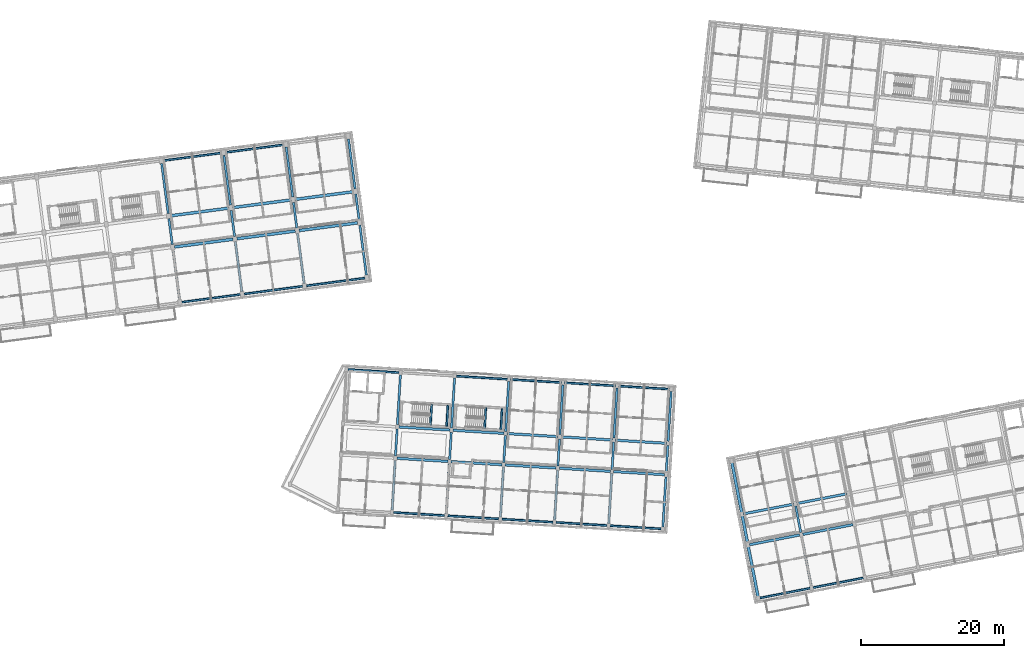
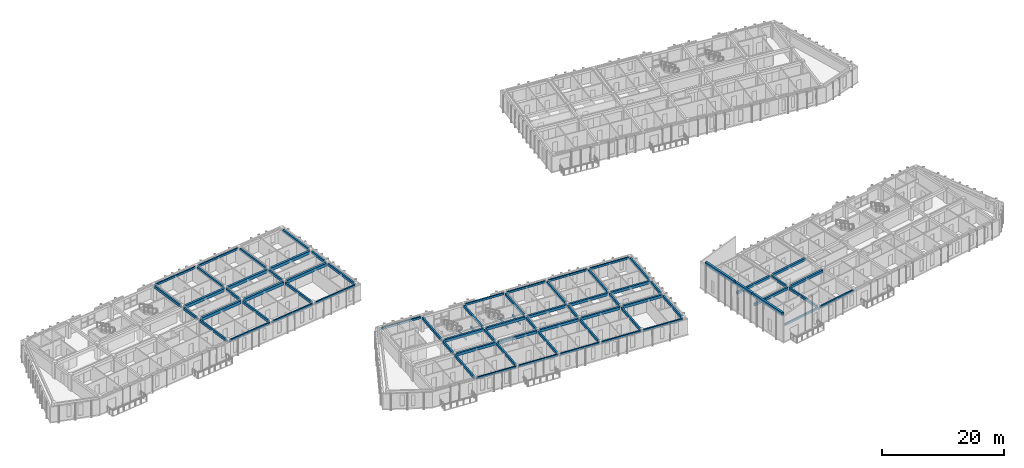
# One storey, part 4 of 65: 76 beams.
"""IFC4 building model written with IfcOpenShell, lengths in metres."""

from ifc_helpers import new_model, si_unit, direction, frame, origin, origin_2d, place, context, subcontext, project, spatial, rectangle, extrude, material, material_profile, profile_set, type_object, element, save


model = new_model("IFC4")

# Units and contexts
model_context = context("Model", 3, precision=1e-05, world=origin(), true_north=direction((0.0, 1.0)))
body_context = subcontext(model_context, "Body", "Model", "MODEL_VIEW")
ifc_project = project(units=[si_unit("LENGTHUNIT", "METRE"), si_unit("AREAUNIT", "SQUARE_METRE"), si_unit("VOLUMEUNIT", "CUBIC_METRE"), si_unit("PLANEANGLEUNIT", "RADIAN"), si_unit("MASSUNIT", "GRAM", prefix="KILO")], contexts=[model_context])

# Site, building, storey
site_placement = place(None, origin())
site = spatial("IfcSite", under=ifc_project, at=site_placement, CompositionType="ELEMENT")
building_placement = place(site_placement, origin())
building = spatial("IfcBuilding", under=site, at=building_placement, Name="Kestramere Prow Commons", CompositionType="ELEMENT")
storey_placement = place(building_placement, frame((0.0, 0.0, 21.39990234375)))
storey = spatial("IfcBuildingStorey", under=building, at=storey_placement, Name="L06", CompositionType="ELEMENT", Elevation=21.39990234375)

# Beams
ifc_material_1 = material(Name="Precast concrete C40/50", Category="concrete")
ifc_material_profile_1 = material_profile(ifc_material_1, rectangle(XDim=0.39990234375, YDim=0.60009765625, at=origin_2d()), Name="PC-BM 400x600")
ifc_profile_set_1 = profile_set([ifc_material_profile_1], Name="Precast concrete C40/50")
beam_type_1 = type_object("IfcBeamType", Name="BM-A1 PC-BM 400x600", PredefinedType="BEAM", material=ifc_profile_set_1)
beam_1_placement = place(storey_placement, frame((36.628662109375, 83.215087890625, 2.7001953125), z_axis=(0.991443917843, 0.130533358852, 0.0), x_axis=(-0.130533358852, 0.991443917843, 0.0)))
element("IfcBeam", 1, at=beam_1_placement, inside=storey, type_object=beam_type_1, Name="Block A L06 Longitudinal Beam 2-4", PredefinedType="BEAM", context=body_context, shape_type="SweptSolid", body=[
    extrude(rectangle(XDim=0.39990234375, YDim=0.60009765625, at=origin_2d()), origin(), (0.0, 0.0, 1.0), 8.25),
])
beam_2_placement = place(storey_placement, frame((45.353515625, 84.36376953125, 2.7001953125), z_axis=(0.991447243185, 0.130508099291, 0.0), x_axis=(-0.130508099291, 0.991447243185, 0.0)))
element("IfcBeam", 2, at=beam_2_placement, inside=storey, type_object=beam_type_1, Name="Block A L06 Longitudinal Beam 2-5", PredefinedType="BEAM", context=body_context, shape_type="SweptSolid", body=[
    extrude(rectangle(XDim=0.39990234375, YDim=0.60009765625, at=origin_2d()), origin(), (0.0, 0.0, 1.0), 8.249755859375),
])
for number, where, z_axis, x_axis, name in (
    (3, (54.078125, 85.51220703125, 2.7001953125), (0.991443917843, 0.130533358852, 0.0), (-0.130533358852, 0.991443917843, 0.0), "Block A L06 Longitudinal Beam 2-6"),
    (4, (36.054443359375, 87.577392578125, 2.7001953125), (0.991443917843, 0.130533358852, 0.0), (-0.130533358852, 0.991443917843, 0.0), "Block A L06 Longitudinal Beam 3-4"),
    (5, (44.779052734375, 88.72607421875, 2.7001953125), (0.991443917843, 0.130533358852, 0.0), (-0.130533358852, 0.991443917843, 0.0), "Block A L06 Longitudinal Beam 3-5"),
):
    element("IfcBeam", number, at=place(storey_placement, frame(where, z_axis=z_axis, x_axis=x_axis)), inside=storey, type_object=beam_type_1, Name=name, PredefinedType="BEAM", context=body_context, shape_type="SweptSolid", body=[
        extrude(rectangle(XDim=0.39990234375, YDim=0.60009765625, at=origin_2d()), origin(), (0.0, 0.0, 1.0), 8.25),
    ])
beam_3_placement = place(storey_placement, frame((53.50390625, 89.874755859375, 2.7001953125), z_axis=(0.991447243185, 0.130508099291, 0.0), x_axis=(-0.130508099291, 0.991447243185, 0.0)))
element("IfcBeam", 6, at=beam_3_placement, inside=storey, type_object=beam_type_1, Name="Block A L06 Longitudinal Beam 3-6", PredefinedType="BEAM", context=body_context, shape_type="SweptSolid", body=[
    extrude(rectangle(XDim=0.39990234375, YDim=0.60009765625, at=origin_2d()), origin(), (0.0, 0.0, 1.0), 8.249755859375),
])
ifc_material_profile_2 = material_profile(ifc_material_1, rectangle(XDim=0.35009765625, YDim=0.550048828125, at=origin_2d()), Name="PC-BM 350x550")
ifc_profile_set_2 = profile_set([ifc_material_profile_2], Name="Precast concrete C40/50")
beam_type_2 = type_object("IfcBeamType", Name="BM-C1 PC-BM 350x550", PredefinedType="BEAM", material=ifc_profile_set_2)
for number, where, z_axis, x_axis, name in (
    (7, (67.7744140625, 53.608154296875, 2.72509765625), (0.998134602239, -0.061051747017, 0.0), (0.061051747017, 0.998134602239, 0.0), "Block C L06 Longitudinal Beam 2-2"),
    (8, (75.360107421875, 53.14404296875, 2.72509765625), (0.998136682403, -0.061017728909, 0.0), (0.061017728909, 0.998136682403, 0.0), "Block C L06 Longitudinal Beam 2-3"),
    (9, (82.946044921875, 52.68017578125, 2.72509765625), (0.998134602239, -0.061051747017, 0.0), (0.061051747017, 0.998134602239, 0.0), "Block C L06 Longitudinal Beam 2-4"),
    (10, (90.53173828125, 52.21630859375, 2.72509765625), (0.998134602239, -0.061051747017, 0.0), (0.061051747017, 0.998134602239, 0.0), "Block C L06 Longitudinal Beam 2-5"),
    (11, (98.11767578125, 51.752197265625, 2.72509765625), (0.998134602239, -0.061051747017, 0.0), (0.061051747017, 0.998134602239, 0.0), "Block C L06 Longitudinal Beam 2-6"),
    (12, (68.04296875, 58.0, 2.72509765625), (0.998134602239, -0.061051747017, 0.0), (0.061051747017, 0.998134602239, 0.0), "Block C L06 Longitudinal Beam 3-2"),
):
    element("IfcBeam", number, at=place(storey_placement, frame(where, z_axis=z_axis, x_axis=x_axis)), inside=storey, type_object=beam_type_2, Name=name, PredefinedType="BEAM", context=body_context, shape_type="SweptSolid", body=[
        extrude(rectangle(XDim=0.35009765625, YDim=0.550048828125, at=origin_2d()), origin(), (0.0, 0.0, 1.0), 7.150146484375),
    ])
beam_4_placement = place(storey_placement, frame((75.62890625, 57.535888671875, 2.72509765625), z_axis=(0.998134474962, -0.061053827828, 0.0), x_axis=(0.061053827828, 0.998134474962, 0.0)))
element("IfcBeam", 13, at=beam_4_placement, inside=storey, type_object=beam_type_2, Name="Block C L06 Longitudinal Beam 3-3", PredefinedType="BEAM", context=body_context, shape_type="SweptSolid", body=[
    extrude(rectangle(XDim=0.35009765625, YDim=0.550048828125, at=origin_2d()), origin(), (0.0, 0.0, 1.0), 7.14990234375),
])
beam_5_placement = place(storey_placement, frame((83.214599609375, 57.072021484375, 2.72509765625), z_axis=(0.998134602239, -0.061051747017, 0.0), x_axis=(0.061051747017, 0.998134602239, 0.0)))
element("IfcBeam", 14, at=beam_5_placement, inside=storey, type_object=beam_type_2, Name="Block C L06 Longitudinal Beam 3-4", PredefinedType="BEAM", context=body_context, shape_type="SweptSolid", body=[
    extrude(rectangle(XDim=0.35009765625, YDim=0.550048828125, at=origin_2d()), origin(), (0.0, 0.0, 1.0), 7.150146484375),
])
beam_6_placement = place(storey_placement, frame((90.800537109375, 56.60791015625, 2.72509765625), z_axis=(0.998136555268, -0.061019808568, 0.0), x_axis=(0.061019808568, 0.998136555268, 0.0)))
element("IfcBeam", 15, at=beam_6_placement, inside=storey, type_object=beam_type_2, Name="Block C L06 Longitudinal Beam 3-5", PredefinedType="BEAM", context=body_context, shape_type="SweptSolid", body=[
    extrude(rectangle(XDim=0.35009765625, YDim=0.550048828125, at=origin_2d()), origin(), (0.0, 0.0, 1.0), 7.14990234375),
])
beam_7_placement = place(storey_placement, frame((98.38623046875, 56.14404296875, 2.72509765625), z_axis=(0.998134602239, -0.061051747017, 0.0), x_axis=(0.061051747017, 0.998134602239, 0.0)))
element("IfcBeam", 16, at=beam_7_placement, inside=storey, type_object=beam_type_2, Name="Block C L06 Longitudinal Beam 3-6", PredefinedType="BEAM", context=body_context, shape_type="SweptSolid", body=[
    extrude(rectangle(XDim=0.35009765625, YDim=0.550048828125, at=origin_2d()), origin(), (0.0, 0.0, 1.0), 7.150146484375),
])
ifc_material_profile_3 = material_profile(ifc_material_1, rectangle(XDim=0.35009765625, YDim=0.5, at=origin_2d()), Name="PC-BM 350x500")
ifc_profile_set_3 = profile_set([ifc_material_profile_3], Name="Precast concrete C40/50")
beam_type_3 = type_object("IfcBeamType", Name="BM-D1 PC-BM 350x500", PredefinedType="BEAM", material=ifc_profile_set_3)
beam_8_placement = place(storey_placement, frame((117.170654296875, 41.50341796875, 2.75), z_axis=(0.981628715169, 0.190801115182, 0.0), x_axis=(-0.190801115182, 0.981628715169, 0.0)))
element("IfcBeam", 17, at=beam_8_placement, inside=storey, type_object=beam_type_3, Name="Block D L06 Longitudinal Beam 2-1", PredefinedType="BEAM", context=body_context, shape_type="SweptSolid", body=[
    extrude(rectangle(XDim=0.35009765625, YDim=0.5, at=origin_2d()), origin(), (0.0, 0.0, 1.0), 7.150146484375),
])
beam_9_placement = place(storey_placement, frame((124.631103515625, 42.953369140625, 2.75), z_axis=(0.981627472063, 0.190807510571, 0.0), x_axis=(-0.190807510571, 0.981627472063, 0.0)))
element("IfcBeam", 18, at=beam_9_placement, inside=storey, type_object=beam_type_3, Name="Block D L06 Longitudinal Beam 2-2", PredefinedType="BEAM", context=body_context, shape_type="SweptSolid", body=[
    extrude(rectangle(XDim=0.35009765625, YDim=0.5, at=origin_2d()), origin(), (0.0, 0.0, 1.0), 7.14990234375),
])
beam_10_placement = place(storey_placement, frame((116.3310546875, 45.822509765625, 2.75), z_axis=(0.981628715169, 0.190801115182, 0.0), x_axis=(-0.190801115182, 0.981628715169, 0.0)))
element("IfcBeam", 19, at=beam_10_placement, inside=storey, type_object=beam_type_3, Name="Block D L06 Longitudinal Beam 3-1", PredefinedType="BEAM", context=body_context, shape_type="SweptSolid", body=[
    extrude(rectangle(XDim=0.35009765625, YDim=0.5, at=origin_2d()), origin(), (0.0, 0.0, 1.0), 7.150146484375),
])
beam_11_placement = place(storey_placement, frame((123.79150390625, 47.272705078125, 2.75), z_axis=(0.981627472063, 0.190807510571, 0.0), x_axis=(-0.190807510571, 0.981627472063, 0.0)))
element("IfcBeam", 20, at=beam_11_placement, inside=storey, type_object=beam_type_3, Name="Block D L06 Longitudinal Beam 3-2", PredefinedType="BEAM", context=body_context, shape_type="SweptSolid", body=[
    extrude(rectangle(XDim=0.35009765625, YDim=0.5, at=origin_2d()), origin(), (0.0, 0.0, 1.0), 7.14990234375),
])
ifc_material_2 = material(Name="Concrete C40/50", Category="concrete")
ifc_material_profile_4 = material_profile(ifc_material_2, rectangle(XDim=0.25, YDim=0.35009765625, at=origin_2d()), Name="PC-BM 250x350")
ifc_profile_set_4 = profile_set([ifc_material_profile_4], Name="Concrete C40/50")
beam_type_4 = type_object("IfcBeamType", Name="BM-ST-TRIM", PredefinedType="BEAM", material=ifc_profile_set_4)
for number, where, z_axis, x_axis, name in (
    (21, (72.462158203125, 58.260498046875, 1.25), (0.061073995712, 0.99813324113, 0.0), (-0.99813324113, 0.061073995712, 0.0), "ST-C1 L06 Landing Trimmer Beam 1A"),
    (22, (74.73779296875, 58.121337890625, 1.25), (0.061073995712, 0.99813324113, 0.0), (-0.99813324113, 0.061073995712, 0.0), "ST-C1 L06 Landing Trimmer Beam 1B"),
):
    element("IfcBeam", number, at=place(storey_placement, frame(where, z_axis=z_axis, x_axis=x_axis)), inside=storey, type_object=beam_type_4, Name=name, PredefinedType="BEAM", context=body_context, shape_type="SweptSolid", body=[
        extrude(rectangle(XDim=0.25, YDim=0.35009765625, at=origin_2d()), origin(), (0.0, 0.0, 1.0), 2.89013671875),
    ])
for number, where, z_axis, x_axis, name in (
    (23, (80.0478515625, 57.796630859375, 1.25), (0.06107914562, 0.998132926003, 0.0), (-0.998132926003, 0.06107914562, 0.0), "ST-C2 L06 Landing Trimmer Beam 1A"),
    (24, (82.32373046875, 57.657470703125, 1.25), (0.06107914562, 0.998132926003, 0.0), (-0.998132926003, 0.06107914562, 0.0), "ST-C2 L06 Landing Trimmer Beam 1B"),
):
    element("IfcBeam", number, at=place(storey_placement, frame(where, z_axis=z_axis, x_axis=x_axis)), inside=storey, type_object=beam_type_4, Name=name, PredefinedType="BEAM", context=body_context, shape_type="SweptSolid", body=[
        extrude(rectangle(XDim=0.25, YDim=0.35009765625, at=origin_2d()), origin(), (0.0, 0.0, 1.0), 2.889892578125),
    ])
ifc_material_profile_5 = material_profile(ifc_material_1, rectangle(XDim=0.300048828125, YDim=0.5, at=origin_2d()), Name="PC-BM 300x500")
ifc_profile_set_5 = profile_set([ifc_material_profile_5], Name="Precast concrete C40/50")
beam_type_5 = type_object("IfcBeamType", Name="BM-TIE-01 PC-BM 300x500", PredefinedType="BEAM", material=ifc_profile_set_5)
beam_12_placement = place(storey_placement, frame((37.3251953125, 75.817626953125, 2.75), z_axis=(-0.130519009654, 0.99144580695, 0.0), x_axis=(-0.99144580695, -0.130519009654, 0.0)))
element("IfcBeam", 25, at=beam_12_placement, inside=storey, type_object=beam_type_5, Name="Block A L06 Transverse Beam 4-1", PredefinedType="BEAM", context=body_context, shape_type="SweptSolid", body=[
    extrude(rectangle(XDim=0.300048828125, YDim=0.5, at=origin_2d()), origin(), (0.0, 0.0, 1.0), 7.050048828125),
])
beam_13_placement = place(storey_placement, frame((36.30712890625, 83.551025390625, 2.75), z_axis=(-0.130568711427, 0.991439262687, 0.0), x_axis=(-0.991439262687, -0.130568711427, 0.0)))
element("IfcBeam", 26, at=beam_13_placement, inside=storey, type_object=beam_type_5, Name="Block A L06 Transverse Beam 4-2", PredefinedType="BEAM", context=body_context, shape_type="SweptSolid", body=[
    extrude(rectangle(XDim=0.300048828125, YDim=0.5, at=origin_2d()), origin(), (0.0, 0.0, 1.0), 3.64990234375),
])
for number, where, z_axis, x_axis, name in (
    (27, (35.732666015625, 87.913330078125, 2.75), (-0.130519009654, 0.99144580695, 0.0), (-0.99144580695, -0.130519009654, 0.0), "Block A L06 Transverse Beam 4-3"),
    (28, (46.0498046875, 76.96630859375, 2.75), (-0.130519009654, 0.99144580695, 0.0), (-0.99144580695, -0.130519009654, 0.0), "Block A L06 Transverse Beam 5-1"),
):
    element("IfcBeam", number, at=place(storey_placement, frame(where, z_axis=z_axis, x_axis=x_axis)), inside=storey, type_object=beam_type_5, Name=name, PredefinedType="BEAM", context=body_context, shape_type="SweptSolid", body=[
        extrude(rectangle(XDim=0.300048828125, YDim=0.5, at=origin_2d()), origin(), (0.0, 0.0, 1.0), 7.050048828125),
    ])
beam_14_placement = place(storey_placement, frame((45.03173828125, 84.699462890625, 2.75), z_axis=(-0.130494307047, 0.991449058615, 0.0), x_axis=(-0.991449058615, -0.130494307047, 0.0)))
element("IfcBeam", 29, at=beam_14_placement, inside=storey, type_object=beam_type_5, Name="Block A L06 Transverse Beam 5-2", PredefinedType="BEAM", context=body_context, shape_type="SweptSolid", body=[
    extrude(rectangle(XDim=0.300048828125, YDim=0.5, at=origin_2d()), origin(), (0.0, 0.0, 1.0), 3.650146484375),
])
beam_15_placement = place(storey_placement, frame((44.45751953125, 89.06201171875, 2.75), z_axis=(-0.130523490966, 0.991445216997, 0.0), x_axis=(-0.991445216997, -0.130523490966, 0.0)))
element("IfcBeam", 30, at=beam_15_placement, inside=storey, type_object=beam_type_5, Name="Block A L06 Transverse Beam 5-3", PredefinedType="BEAM", context=body_context, shape_type="SweptSolid", body=[
    extrude(rectangle(XDim=0.300048828125, YDim=0.5, at=origin_2d()), origin(), (0.0, 0.0, 1.0), 7.0498046875),
])
beam_16_placement = place(storey_placement, frame((54.774658203125, 78.114990234375, 2.75), z_axis=(-0.130519009654, 0.99144580695, 0.0), x_axis=(-0.99144580695, -0.130519009654, 0.0)))
element("IfcBeam", 31, at=beam_16_placement, inside=storey, type_object=beam_type_5, Name="Block A L06 Transverse Beam 6-1", PredefinedType="BEAM", context=body_context, shape_type="SweptSolid", body=[
    extrude(rectangle(XDim=0.300048828125, YDim=0.5, at=origin_2d()), origin(), (0.0, 0.0, 1.0), 7.050048828125),
])
beam_17_placement = place(storey_placement, frame((53.756591796875, 85.84814453125, 2.75), z_axis=(-0.13056005306, 0.991440402921, 0.0), x_axis=(-0.991440402921, -0.13056005306, 0.0)))
element("IfcBeam", 32, at=beam_17_placement, inside=storey, type_object=beam_type_5, Name="Block A L06 Transverse Beam 6-2", PredefinedType="BEAM", context=body_context, shape_type="SweptSolid", body=[
    extrude(rectangle(XDim=0.300048828125, YDim=0.5, at=origin_2d()), origin(), (0.0, 0.0, 1.0), 3.650146484375),
])
for number, where, z_axis, x_axis, name in (
    (33, (53.18212890625, 90.210693359375, 2.75), (-0.130523490966, 0.991445216997, 0.0), (-0.991445216997, -0.130523490966, 0.0), "Block A L06 Transverse Beam 6-3"),
    (34, (63.499267578125, 79.263671875, 2.75), (-0.130523490966, 0.991445216997, 0.0), (-0.991445216997, -0.130523490966, 0.0), "Block A L06 Transverse Beam 7-1"),
):
    element("IfcBeam", number, at=place(storey_placement, frame(where, z_axis=z_axis, x_axis=x_axis)), inside=storey, type_object=beam_type_5, Name=name, PredefinedType="BEAM", context=body_context, shape_type="SweptSolid", body=[
        extrude(rectangle(XDim=0.300048828125, YDim=0.5, at=origin_2d()), origin(), (0.0, 0.0, 1.0), 7.0498046875),
    ])
beam_18_placement = place(storey_placement, frame((62.481201171875, 86.996826171875, 2.75), z_axis=(-0.130494307047, 0.991449058615, 0.0), x_axis=(-0.991449058615, -0.130494307047, 0.0)))
element("IfcBeam", 35, at=beam_18_placement, inside=storey, type_object=beam_type_5, Name="Block A L06 Transverse Beam 7-2", PredefinedType="BEAM", context=body_context, shape_type="SweptSolid", body=[
    extrude(rectangle(XDim=0.300048828125, YDim=0.5, at=origin_2d()), origin(), (0.0, 0.0, 1.0), 3.650146484375),
])
beam_19_placement = place(storey_placement, frame((61.906982421875, 91.359130859375, 2.75), z_axis=(-0.130519009654, 0.99144580695, 0.0), x_axis=(-0.99144580695, -0.130519009654, 0.0)))
element("IfcBeam", 36, at=beam_19_placement, inside=storey, type_object=beam_type_5, Name="Block A L06 Transverse Beam 7-3", PredefinedType="BEAM", context=body_context, shape_type="SweptSolid", body=[
    extrude(rectangle(XDim=0.300048828125, YDim=0.5, at=origin_2d()), origin(), (0.0, 0.0, 1.0), 7.050048828125),
])
beam_20_placement = place(storey_placement, frame((67.104248046875, 46.33544921875, 2.75), z_axis=(0.061034188237, 0.998135676081, 0.0), x_axis=(-0.998135676081, 0.061034188237, 0.0)))
element("IfcBeam", 37, at=beam_20_placement, inside=storey, type_object=beam_type_5, Name="Block C L06 Transverse Beam 2-1", PredefinedType="BEAM", context=body_context, shape_type="SweptSolid", body=[
    extrude(rectangle(XDim=0.300048828125, YDim=0.5, at=origin_2d()), origin(), (0.0, 0.0, 1.0), 7.0),
])
beam_21_placement = place(storey_placement, frame((67.568115234375, 53.92138671875, 2.75), z_axis=(0.061038214251, 0.99813542989, 0.0), x_axis=(-0.99813542989, 0.061038214251, 0.0)))
element("IfcBeam", 38, at=beam_21_placement, inside=storey, type_object=beam_type_5, Name="Block C L06 Transverse Beam 2-2", PredefinedType="BEAM", context=body_context, shape_type="SweptSolid", body=[
    extrude(rectangle(XDim=0.300048828125, YDim=0.5, at=origin_2d()), origin(), (0.0, 0.0, 1.0), 3.7998046875),
])
beam_22_placement = place(storey_placement, frame((67.836669921875, 58.31298828125, 2.75), z_axis=(0.061068934883, 0.99813355078, 0.0), x_axis=(-0.99813355078, 0.061068934883, 0.0)))
element("IfcBeam", 39, at=beam_22_placement, inside=storey, type_object=beam_type_5, Name="Block C L06 Transverse Beam 2-3", PredefinedType="BEAM", context=body_context, shape_type="SweptSolid", body=[
    extrude(rectangle(XDim=0.300048828125, YDim=0.5, at=origin_2d()), origin(), (0.0, 0.0, 1.0), 7.000244140625),
])
beam_23_placement = place(storey_placement, frame((74.68994140625, 45.87158203125, 2.75), z_axis=(0.061036313012, 0.998135546153, 0.0), x_axis=(-0.998135546153, 0.061036313012, 0.0)))
element("IfcBeam", 40, at=beam_23_placement, inside=storey, type_object=beam_type_5, Name="Block C L06 Transverse Beam 3-1", PredefinedType="BEAM", context=body_context, shape_type="SweptSolid", body=[
    extrude(rectangle(XDim=0.300048828125, YDim=0.5, at=origin_2d()), origin(), (0.0, 0.0, 1.0), 6.999755859375),
])
beam_24_placement = place(storey_placement, frame((75.154052734375, 53.457275390625, 2.75), z_axis=(0.061034300063, 0.998135669243, 0.0), x_axis=(-0.998135669243, 0.061034300063, 0.0)))
element("IfcBeam", 41, at=beam_24_placement, inside=storey, type_object=beam_type_5, Name="Block C L06 Transverse Beam 3-2", PredefinedType="BEAM", context=body_context, shape_type="SweptSolid", body=[
    extrude(rectangle(XDim=0.300048828125, YDim=0.5, at=origin_2d()), origin(), (0.0, 0.0, 1.0), 3.800048828125),
])
for number, where, z_axis, x_axis, name in (
    (42, (75.422607421875, 57.84912109375, 2.75), (0.061034188237, 0.998135676081, 0.0), (-0.998135676081, 0.061034188237, 0.0), "Block C L06 Transverse Beam 3-3"),
    (43, (82.27587890625, 45.407470703125, 2.75), (0.061034188237, 0.998135676081, 0.0), (-0.998135676081, 0.061034188237, 0.0), "Block C L06 Transverse Beam 4-1"),
):
    element("IfcBeam", number, at=place(storey_placement, frame(where, z_axis=z_axis, x_axis=x_axis)), inside=storey, type_object=beam_type_5, Name=name, PredefinedType="BEAM", context=body_context, shape_type="SweptSolid", body=[
        extrude(rectangle(XDim=0.300048828125, YDim=0.5, at=origin_2d()), origin(), (0.0, 0.0, 1.0), 7.0),
    ])
beam_25_placement = place(storey_placement, frame((82.73974609375, 52.993408203125, 2.75), z_axis=(0.061034300063, 0.998135669243, 0.0), x_axis=(-0.998135669243, 0.061034300063, 0.0)))
element("IfcBeam", 44, at=beam_25_placement, inside=storey, type_object=beam_type_5, Name="Block C L06 Transverse Beam 4-2", PredefinedType="BEAM", context=body_context, shape_type="SweptSolid", body=[
    extrude(rectangle(XDim=0.300048828125, YDim=0.5, at=origin_2d()), origin(), (0.0, 0.0, 1.0), 3.800048828125),
])
for number, where, z_axis, x_axis, name in (
    (45, (83.00830078125, 57.38525390625, 2.75), (0.061071060859, 0.998133420704, 0.0), (-0.998133420704, 0.061071060859, 0.0), "Block C L06 Transverse Beam 4-3"),
    (46, (89.861572265625, 44.943603515625, 2.75), (0.061071060859, 0.998133420704, 0.0), (-0.998133420704, 0.061071060859, 0.0), "Block C L06 Transverse Beam 5-1"),
):
    element("IfcBeam", number, at=place(storey_placement, frame(where, z_axis=z_axis, x_axis=x_axis)), inside=storey, type_object=beam_type_5, Name=name, PredefinedType="BEAM", context=body_context, shape_type="SweptSolid", body=[
        extrude(rectangle(XDim=0.300048828125, YDim=0.5, at=origin_2d()), origin(), (0.0, 0.0, 1.0), 7.0),
    ])
beam_26_placement = place(storey_placement, frame((90.32568359375, 52.529296875, 2.75), z_axis=(0.061034300063, 0.998135669243, 0.0), x_axis=(-0.998135669243, 0.061034300063, 0.0)))
element("IfcBeam", 47, at=beam_26_placement, inside=storey, type_object=beam_type_5, Name="Block C L06 Transverse Beam 5-2", PredefinedType="BEAM", context=body_context, shape_type="SweptSolid", body=[
    extrude(rectangle(XDim=0.300048828125, YDim=0.5, at=origin_2d()), origin(), (0.0, 0.0, 1.0), 3.800048828125),
])
for number, where, z_axis, x_axis, name in (
    (48, (90.59423828125, 56.921142578125, 2.75), (0.061034188237, 0.998135676081, 0.0), (-0.998135676081, 0.061034188237, 0.0), "Block C L06 Transverse Beam 5-3"),
    (49, (97.447509765625, 44.4794921875, 2.75), (0.061034188237, 0.998135676081, 0.0), (-0.998135676081, 0.061034188237, 0.0), "Block C L06 Transverse Beam 6-1"),
):
    element("IfcBeam", number, at=place(storey_placement, frame(where, z_axis=z_axis, x_axis=x_axis)), inside=storey, type_object=beam_type_5, Name=name, PredefinedType="BEAM", context=body_context, shape_type="SweptSolid", body=[
        extrude(rectangle(XDim=0.300048828125, YDim=0.5, at=origin_2d()), origin(), (0.0, 0.0, 1.0), 7.0),
    ])
beam_27_placement = place(storey_placement, frame((97.911376953125, 52.0654296875, 2.75), z_axis=(0.061034300063, 0.998135669243, 0.0), x_axis=(-0.998135669243, 0.061034300063, 0.0)))
element("IfcBeam", 50, at=beam_27_placement, inside=storey, type_object=beam_type_5, Name="Block C L06 Transverse Beam 6-2", PredefinedType="BEAM", context=body_context, shape_type="SweptSolid", body=[
    extrude(rectangle(XDim=0.300048828125, YDim=0.5, at=origin_2d()), origin(), (0.0, 0.0, 1.0), 3.800048828125),
])
beam_28_placement = place(storey_placement, frame((98.179931640625, 56.457275390625, 2.75), z_axis=(0.061071060859, 0.998133420704, 0.0), x_axis=(-0.998133420704, 0.061071060859, 0.0)))
element("IfcBeam", 51, at=beam_28_placement, inside=storey, type_object=beam_type_5, Name="Block C L06 Transverse Beam 6-3", PredefinedType="BEAM", context=body_context, shape_type="SweptSolid", body=[
    extrude(rectangle(XDim=0.300048828125, YDim=0.5, at=origin_2d()), origin(), (0.0, 0.0, 1.0), 7.0),
])
beam_29_placement = place(storey_placement, frame((105.033203125, 44.015625, 2.75), z_axis=(0.061068934883, 0.99813355078, 0.0), x_axis=(-0.99813355078, 0.061068934883, 0.0)))
element("IfcBeam", 52, at=beam_29_placement, inside=storey, type_object=beam_type_5, Name="Block C L06 Transverse Beam 7-1", PredefinedType="BEAM", context=body_context, shape_type="SweptSolid", body=[
    extrude(rectangle(XDim=0.300048828125, YDim=0.5, at=origin_2d()), origin(), (0.0, 0.0, 1.0), 7.000244140625),
])
beam_30_placement = place(storey_placement, frame((105.497314453125, 51.6015625, 2.75), z_axis=(0.061038214251, 0.99813542989, 0.0), x_axis=(-0.99813542989, 0.061038214251, 0.0)))
element("IfcBeam", 53, at=beam_30_placement, inside=storey, type_object=beam_type_5, Name="Block C L06 Transverse Beam 7-2", PredefinedType="BEAM", context=body_context, shape_type="SweptSolid", body=[
    extrude(rectangle(XDim=0.300048828125, YDim=0.5, at=origin_2d()), origin(), (0.0, 0.0, 1.0), 3.7998046875),
])
beam_31_placement = place(storey_placement, frame((105.765869140625, 55.9931640625, 2.75), z_axis=(0.061034188237, 0.998135676081, 0.0), x_axis=(-0.998135676081, 0.061034188237, 0.0)))
element("IfcBeam", 54, at=beam_31_placement, inside=storey, type_object=beam_type_5, Name="Block C L06 Transverse Beam 7-3", PredefinedType="BEAM", context=body_context, shape_type="SweptSolid", body=[
    extrude(rectangle(XDim=0.300048828125, YDim=0.5, at=origin_2d()), origin(), (0.0, 0.0, 1.0), 7.0),
])
beam_32_placement = place(storey_placement, frame((125.79833984375, 35.769287109375, 2.75), z_axis=(-0.190817005532, 0.981625626397, 0.0), x_axis=(-0.981625626397, -0.190817005532, 0.0)))
element("IfcBeam", 55, at=beam_32_placement, inside=storey, type_object=beam_type_5, Name="Block D L06 Transverse Beam 2-1", PredefinedType="BEAM", context=body_context, shape_type="SweptSolid", body=[
    extrude(rectangle(XDim=0.300048828125, YDim=0.5, at=origin_2d()), origin(), (0.0, 0.0, 1.0), 6.949951171875),
])
beam_33_placement = place(storey_placement, frame((124.34814453125, 43.2294921875, 2.75), z_axis=(-0.190817382683, 0.981625553083, 0.0), x_axis=(-0.981625553083, -0.190817382683, 0.0)))
element("IfcBeam", 56, at=beam_33_placement, inside=storey, type_object=beam_type_5, Name="Block D L06 Transverse Beam 2-2", PredefinedType="BEAM", context=body_context, shape_type="SweptSolid", body=[
    extrude(rectangle(XDim=0.300048828125, YDim=0.5, at=origin_2d()), origin(), (0.0, 0.0, 1.0), 3.75),
])
ifc_material_profile_6 = material_profile(ifc_material_1, rectangle(XDim=0.39990234375, YDim=0.60009765625, at=origin_2d()), Name="PC-RB 400x600")
ifc_profile_set_6 = profile_set([ifc_material_profile_6], Name="Precast concrete C40/50")
beam_type_6 = type_object("IfcBeamType", Name="RB-PR-01 PC-RB 400x600", PredefinedType="BEAM", material=ifc_profile_set_6)
beam_34_placement = place(storey_placement, frame((118.36572265625, 34.1767578125, 4.909912109375), z_axis=(-0.190828140516, 0.981623461816, 0.0), x_axis=(-0.981623461816, -0.190828140516, 0.0)))
element("IfcBeam", 57, at=beam_34_placement, inside=storey, type_object=beam_type_6, Name="Block D Prow Eave Transverse Girder 1", PredefinedType="BEAM", context=body_context, shape_type="SweptSolid", body=[
    extrude(rectangle(XDim=0.39990234375, YDim=0.60009765625, at=origin_2d()), origin(), (0.0, 0.0, 1.0), 7.239990234375),
])
beam_35_placement = place(storey_placement, frame((116.91552734375, 41.636962890625, 4.909912109375), z_axis=(-0.19083730996, 0.981621679226, 0.0), x_axis=(-0.981621679226, -0.19083730996, 0.0)))
element("IfcBeam", 58, at=beam_35_placement, inside=storey, type_object=beam_type_6, Name="Block D Prow Eave Transverse Girder 2", PredefinedType="BEAM", context=body_context, shape_type="SweptSolid", body=[
    extrude(rectangle(XDim=0.39990234375, YDim=0.60009765625, at=origin_2d()), origin(), (0.0, 0.0, 1.0), 4.0400390625),
])
beam_36_placement = place(storey_placement, frame((116.075927734375, 45.956298828125, 4.909912109375), z_axis=(-0.190795646995, 0.981629778016, 0.0), x_axis=(-0.981629778016, -0.190795646995, 0.0)))
element("IfcBeam", 59, at=beam_36_placement, inside=storey, type_object=beam_type_6, Name="Block D Prow Eave Transverse Girder 3", PredefinedType="BEAM", context=body_context, shape_type="SweptSolid", body=[
    extrude(rectangle(XDim=0.39990234375, YDim=0.60009765625, at=origin_2d()), origin(), (0.0, 0.0, 1.0), 7.239990234375),
])
ifc_material_profile_7 = material_profile(ifc_material_1, rectangle(XDim=0.25, YDim=0.39990234375, at=origin_2d()), Name="PC-SP 250x400")
ifc_profile_set_7 = profile_set([ifc_material_profile_7], Name="Precast concrete C40/50")
beam_type_7 = type_object("IfcBeamType", Name="SP-EXT-01 PC-SP 250x400", PredefinedType="SPANDREL", material=ifc_profile_set_7)
for number, where, z_axis, x_axis, name in (
    (60, (37.646728515625, 75.481689453125, 2.800048828125), (0.991443917843, 0.130533358852, 0.0), (-0.130533358852, 0.991443917843, 0.0), "Block A L06 Longitudinal Beam 1-4"),
    (61, (46.37158203125, 76.63037109375, 2.800048828125), (0.991443917843, 0.130533358852, 0.0), (-0.130533358852, 0.991443917843, 0.0), "Block A L06 Longitudinal Beam 1-5"),
    (62, (55.09619140625, 77.779052734375, 2.800048828125), (0.991443917843, 0.130533358852, 0.0), (-0.130533358852, 0.991443917843, 0.0), "Block A L06 Longitudinal Beam 1-6"),
):
    element("IfcBeam", number, at=place(storey_placement, frame(where, z_axis=z_axis, x_axis=x_axis)), inside=storey, type_object=beam_type_7, Name=name, PredefinedType="SPANDREL", context=body_context, shape_type="SweptSolid", body=[
        extrude(rectangle(XDim=0.25, YDim=0.39990234375, at=origin_2d()), origin(), (0.0, 0.0, 1.0), 8.25),
    ])
beam_37_placement = place(storey_placement, frame((35.036376953125, 95.310791015625, 2.800048828125), z_axis=(0.991447243185, 0.130508099291, 0.0), x_axis=(-0.130508099291, 0.991447243185, 0.0)))
element("IfcBeam", 63, at=beam_37_placement, inside=storey, type_object=beam_type_7, Name="Block A L06 Longitudinal Beam 4-4", PredefinedType="SPANDREL", context=body_context, shape_type="SweptSolid", body=[
    extrude(rectangle(XDim=0.25, YDim=0.39990234375, at=origin_2d()), origin(), (0.0, 0.0, 1.0), 8.249755859375),
])
beam_38_placement = place(storey_placement, frame((43.760986328125, 96.459228515625, 2.800048828125), z_axis=(0.991443917843, 0.130533358852, 0.0), x_axis=(-0.130533358852, 0.991443917843, 0.0)))
element("IfcBeam", 64, at=beam_38_placement, inside=storey, type_object=beam_type_7, Name="Block A L06 Longitudinal Beam 4-5", PredefinedType="SPANDREL", context=body_context, shape_type="SweptSolid", body=[
    extrude(rectangle(XDim=0.25, YDim=0.39990234375, at=origin_2d()), origin(), (0.0, 0.0, 1.0), 8.25),
])
for number, where, z_axis, x_axis, name in (
    (65, (67.310302734375, 46.022216796875, 2.800048828125), (0.998134602239, -0.061051747017, 0.0), (0.061051747017, 0.998134602239, 0.0), "Block C L06 Longitudinal Beam 1-2"),
    (66, (74.896240234375, 45.558349609375, 2.800048828125), (0.998134602239, -0.061051747017, 0.0), (0.061051747017, 0.998134602239, 0.0), "Block C L06 Longitudinal Beam 1-3"),
    (67, (82.48193359375, 45.09423828125, 2.800048828125), (0.998136682403, -0.061017728909, 0.0), (0.061017728909, 0.998136682403, 0.0), "Block C L06 Longitudinal Beam 1-4"),
    (68, (90.06787109375, 44.63037109375, 2.800048828125), (0.998134602239, -0.061051747017, 0.0), (0.061051747017, 0.998134602239, 0.0), "Block C L06 Longitudinal Beam 1-5"),
):
    element("IfcBeam", number, at=place(storey_placement, frame(where, z_axis=z_axis, x_axis=x_axis)), inside=storey, type_object=beam_type_7, Name=name, PredefinedType="SPANDREL", context=body_context, shape_type="SweptSolid", body=[
        extrude(rectangle(XDim=0.25, YDim=0.39990234375, at=origin_2d()), origin(), (0.0, 0.0, 1.0), 7.150146484375),
    ])
beam_39_placement = place(storey_placement, frame((97.65380859375, 44.16650390625, 2.800048828125), z_axis=(0.998134474962, -0.061053827828, 0.0), x_axis=(0.061053827828, 0.998134474962, 0.0)))
element("IfcBeam", 69, at=beam_39_placement, inside=storey, type_object=beam_type_7, Name="Block C L06 Longitudinal Beam 1-6", PredefinedType="SPANDREL", context=body_context, shape_type="SweptSolid", body=[
    extrude(rectangle(XDim=0.25, YDim=0.39990234375, at=origin_2d()), origin(), (0.0, 0.0, 1.0), 7.14990234375),
])
for number, where, z_axis, x_axis, name in (
    (70, (60.921142578125, 66.0498046875, 2.800048828125), (0.998134602239, -0.061051747017, 0.0), (0.061051747017, 0.998134602239, 0.0), "Block C L06 Longitudinal Beam 4-1"),
    (71, (76.0927734375, 65.121826171875, 2.800048828125), (0.998134602239, -0.061051747017, 0.0), (0.061051747017, 0.998134602239, 0.0), "Block C L06 Longitudinal Beam 4-3"),
):
    element("IfcBeam", number, at=place(storey_placement, frame(where, z_axis=z_axis, x_axis=x_axis)), inside=storey, type_object=beam_type_7, Name=name, PredefinedType="SPANDREL", context=body_context, shape_type="SweptSolid", body=[
        extrude(rectangle(XDim=0.25, YDim=0.39990234375, at=origin_2d()), origin(), (0.0, 0.0, 1.0), 7.150146484375),
    ])
beam_40_placement = place(storey_placement, frame((83.6787109375, 64.65771484375, 2.800048828125), z_axis=(0.998134474962, -0.061053827828, 0.0), x_axis=(0.061053827828, 0.998134474962, 0.0)))
element("IfcBeam", 72, at=beam_40_placement, inside=storey, type_object=beam_type_7, Name="Block C L06 Longitudinal Beam 4-4", PredefinedType="SPANDREL", context=body_context, shape_type="SweptSolid", body=[
    extrude(rectangle(XDim=0.25, YDim=0.39990234375, at=origin_2d()), origin(), (0.0, 0.0, 1.0), 7.14990234375),
])
beam_41_placement = place(storey_placement, frame((91.264404296875, 64.19384765625, 2.800048828125), z_axis=(0.998134602239, -0.061051747017, 0.0), x_axis=(0.061051747017, 0.998134602239, 0.0)))
element("IfcBeam", 73, at=beam_41_placement, inside=storey, type_object=beam_type_7, Name="Block C L06 Longitudinal Beam 4-5", PredefinedType="SPANDREL", context=body_context, shape_type="SweptSolid", body=[
    extrude(rectangle(XDim=0.25, YDim=0.39990234375, at=origin_2d()), origin(), (0.0, 0.0, 1.0), 7.150146484375),
])
for number, where, z_axis, x_axis, name in (
    (74, (98.850341796875, 63.72998046875, 2.800048828125), (0.998134474962, -0.061053827828, 0.0), (0.061053827828, 0.998134474962, 0.0), "Block C L06 Longitudinal Beam 4-6"),
    (75, (118.620849609375, 34.04296875, 2.800048828125), (0.981627472063, 0.190807510571, 0.0), (-0.190807510571, 0.981627472063, 0.0), "Block D L06 Longitudinal Beam 1-1"),
    (76, (126.081298828125, 35.4931640625, 2.800048828125), (0.981627472063, 0.190807510571, 0.0), (-0.190807510571, 0.981627472063, 0.0), "Block D L06 Longitudinal Beam 1-2"),
):
    element("IfcBeam", number, at=place(storey_placement, frame(where, z_axis=z_axis, x_axis=x_axis)), inside=storey, type_object=beam_type_7, Name=name, PredefinedType="SPANDREL", context=body_context, shape_type="SweptSolid", body=[
        extrude(rectangle(XDim=0.25, YDim=0.39990234375, at=origin_2d()), origin(), (0.0, 0.0, 1.0), 7.14990234375),
    ])

save(model, "model.ifc")
